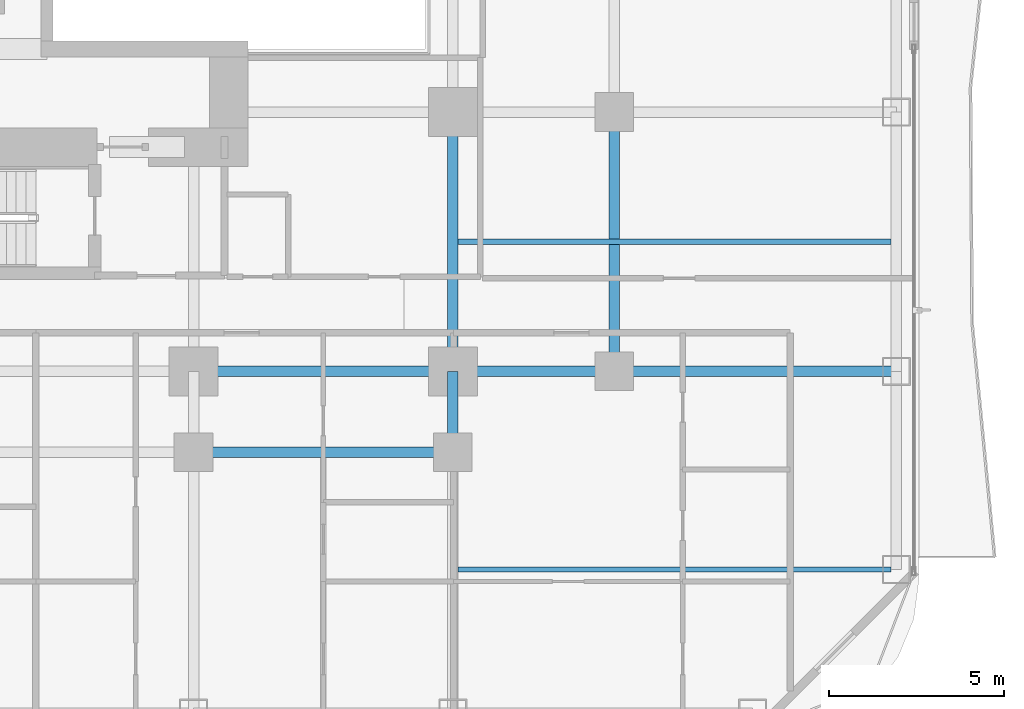
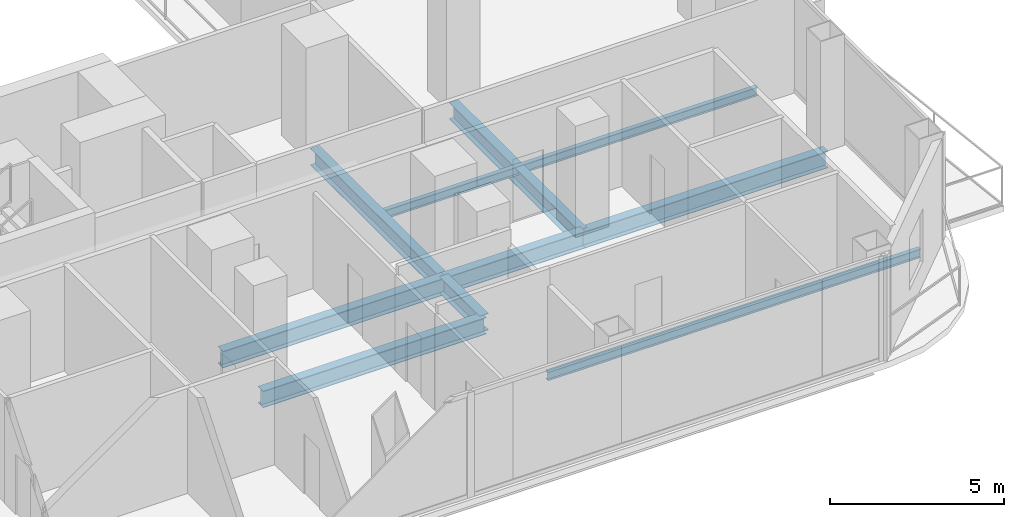
# One storey, part 9 of 30: 9 beams.
"""IFC4 building model written with IfcOpenShell, lengths in metres."""

from ifc_helpers import new_model, si_unit, direction, frame, origin, origin_2d, place, context, subcontext, project, spatial, i_section, extrude, material, material_profile, profile_set, type_object, element, save


model = new_model("IFC4")

# Units and contexts
model_context = context("Model", 3, precision=1e-05, world=origin(), true_north=direction((0.0, 1.0)))
body_context = subcontext(model_context, "Body", "Model", "MODEL_VIEW")
ifc_project = project(units=[si_unit("LENGTHUNIT", "METRE"), si_unit("AREAUNIT", "SQUARE_METRE"), si_unit("VOLUMEUNIT", "CUBIC_METRE"), si_unit("PLANEANGLEUNIT", "RADIAN"), si_unit("MASSUNIT", "GRAM", prefix="KILO")], contexts=[model_context])

# Site, building, storey
site_placement = place(None, origin())
site = spatial("IfcSite", under=ifc_project, at=site_placement, CompositionType="ELEMENT")
building_placement = place(site_placement, origin())
building = spatial("IfcBuilding", under=site, at=building_placement, Name="Khorvyn Point Tower", CompositionType="ELEMENT")
storey_placement = place(building_placement, frame((0.0, 0.0, 30.60009765625)))
storey = spatial("IfcBuildingStorey", under=building, at=storey_placement, Name="L08", CompositionType="ELEMENT", Elevation=30.60009765625)

# Beams
ifc_material = material(Name="Steel S355", Category="steel")
ifc_material_profile_1 = material_profile(ifc_material, i_section(OverallWidth=0.300048828125, OverallDepth=0.587890625, WebThickness=0.011962890625, FlangeThickness=0.02001953125, at=origin_2d()))
ifc_profile_set_1 = profile_set([ifc_material_profile_1], Name="Steel S355 H588x300x12x20")
beam_type_1 = type_object("IfcBeamType", Name="Steel S355 Beam H588x300x12x20", PredefinedType="BEAM", material=ifc_profile_set_1)
beam_1_placement = place(storey_placement, frame((7.39990234375, -14.800048828125, -0.51416015625), z_axis=(1.0, 0.0, 0.0), x_axis=(0.0, 1.0, 0.0)))
element("IfcBeam", 1, at=beam_1_placement, inside=storey, type_object=beam_type_1, Name="Beam", PredefinedType="BEAM", context=body_context, shape_type="SweptSolid", body=[
    extrude(i_section(OverallWidth=0.300048828125, OverallDepth=0.587890625, WebThickness=0.011962890625, FlangeThickness=0.02001953125, at=origin_2d()), origin(), (0.0, 0.0, 1.0), 7.400146484375),
])
beam_2_placement = place(storey_placement, frame((14.800048828125, -14.800048828125, -0.51416015625), z_axis=(1.0, 0.0, 0.0), x_axis=(0.0, 1.0, 0.0)))
element("IfcBeam", 2, at=beam_2_placement, inside=storey, type_object=beam_type_1, Name="Beam", PredefinedType="BEAM", context=body_context, shape_type="SweptSolid", body=[
    extrude(i_section(OverallWidth=0.300048828125, OverallDepth=0.587890625, WebThickness=0.011962890625, FlangeThickness=0.02001953125, at=origin_2d()), origin(), (0.0, 0.0, 1.0), 4.599853515625),
])
beam_3_placement = place(storey_placement, frame((19.39990234375, -14.800048828125, -0.51416015625), z_axis=(1.0, 0.0, 0.0), x_axis=(0.0, 1.0, 0.0)))
element("IfcBeam", 3, at=beam_3_placement, inside=storey, type_object=beam_type_1, Name="Beam", PredefinedType="BEAM", context=body_context, shape_type="SweptSolid", body=[
    extrude(i_section(OverallWidth=0.300048828125, OverallDepth=0.587890625, WebThickness=0.011962890625, FlangeThickness=0.02001953125, at=origin_2d()), origin(), (0.0, 0.0, 1.0), 8.050048828125),
])
beam_4_placement = place(storey_placement, frame((7.39990234375, -17.10009765625, -0.51416015625), z_axis=(1.0, 0.0, 0.0), x_axis=(0.0, 1.0, 0.0)))
element("IfcBeam", 4, at=beam_4_placement, inside=storey, type_object=beam_type_1, Name="Beam", PredefinedType="BEAM", context=body_context, shape_type="SweptSolid", body=[
    extrude(i_section(OverallWidth=0.300048828125, OverallDepth=0.587890625, WebThickness=0.011962890625, FlangeThickness=0.02001953125, at=origin_2d()), origin(), (0.0, 0.0, 1.0), 7.400146484375),
])
beam_5_placement = place(storey_placement, frame((14.800048828125, -17.10009765625, -0.51416015625), z_axis=(0.0, 1.0, 0.0), x_axis=(-1.0, 0.0, 0.0)))
element("IfcBeam", 5, at=beam_5_placement, inside=storey, type_object=beam_type_1, Name="Beam", PredefinedType="BEAM", context=body_context, shape_type="SweptSolid", body=[
    extrude(i_section(OverallWidth=0.300048828125, OverallDepth=0.587890625, WebThickness=0.011962890625, FlangeThickness=0.02001953125, at=origin_2d()), origin(), (0.0, 0.0, 1.0), 2.300048828125),
])
for number, where, z_axis, x_axis, name in (
    (6, (14.800048828125, -14.800048828125, -0.51416015625), (0.0, 1.0, 0.0), (-1.0, 0.0, 0.0), "Beam"),
    (7, (19.39990234375, -14.800048828125, -0.51416015625), (0.0, 1.0, 0.0), (-1.0, 0.0, 0.0), "Beam"),
):
    element("IfcBeam", number, at=place(storey_placement, frame(where, z_axis=z_axis, x_axis=x_axis)), inside=storey, type_object=beam_type_1, Name=name, PredefinedType="BEAM", context=body_context, shape_type="SweptSolid", body=[
        extrude(i_section(OverallWidth=0.300048828125, OverallDepth=0.587890625, WebThickness=0.011962890625, FlangeThickness=0.02001953125, at=origin_2d()), origin(), (0.0, 0.0, 1.0), 7.400146484375),
    ])
ifc_material_profile_2 = material_profile(ifc_material, i_section(OverallWidth=0.14990234375, OverallDepth=0.300048828125, WebThickness=0.006591796875, FlangeThickness=0.009033203125, at=origin_2d()))
ifc_profile_set_2 = profile_set([ifc_material_profile_2], Name="Steel S355 H300x150x6.5x9")
beam_type_2 = type_object("IfcBeamType", Name="Steel S355 Joist H300x150x6.5x9", PredefinedType="JOIST", material=ifc_profile_set_2)
for number, where, z_axis, x_axis, name in (
    (8, (14.949951171875, -11.10009765625, -0.3701171875), (1.0, 0.0, 0.0), (0.0, 1.0, 0.0), "Beam"),
    (9, (14.949951171875, -20.449951171875, -0.3701171875), (1.0, 0.0, 0.0), (0.0, 1.0, 0.0), "Beam"),
):
    element("IfcBeam", number, at=place(storey_placement, frame(where, z_axis=z_axis, x_axis=x_axis)), inside=storey, type_object=beam_type_2, Name=name, PredefinedType="JOIST", context=body_context, shape_type="SweptSolid", body=[
        extrude(i_section(OverallWidth=0.14990234375, OverallDepth=0.300048828125, WebThickness=0.006591796875, FlangeThickness=0.009033203125, at=origin_2d()), origin(), (0.0, 0.0, 1.0), 12.35009765625),
    ])

save(model, "model.ifc")
